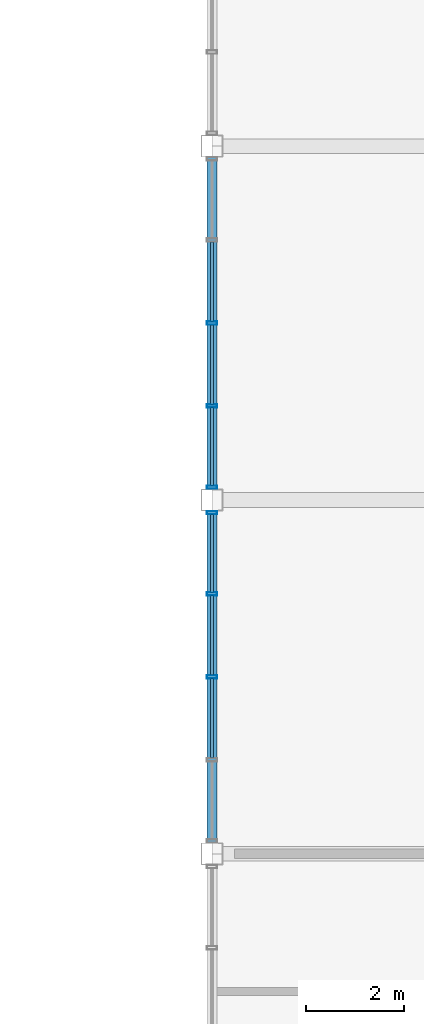
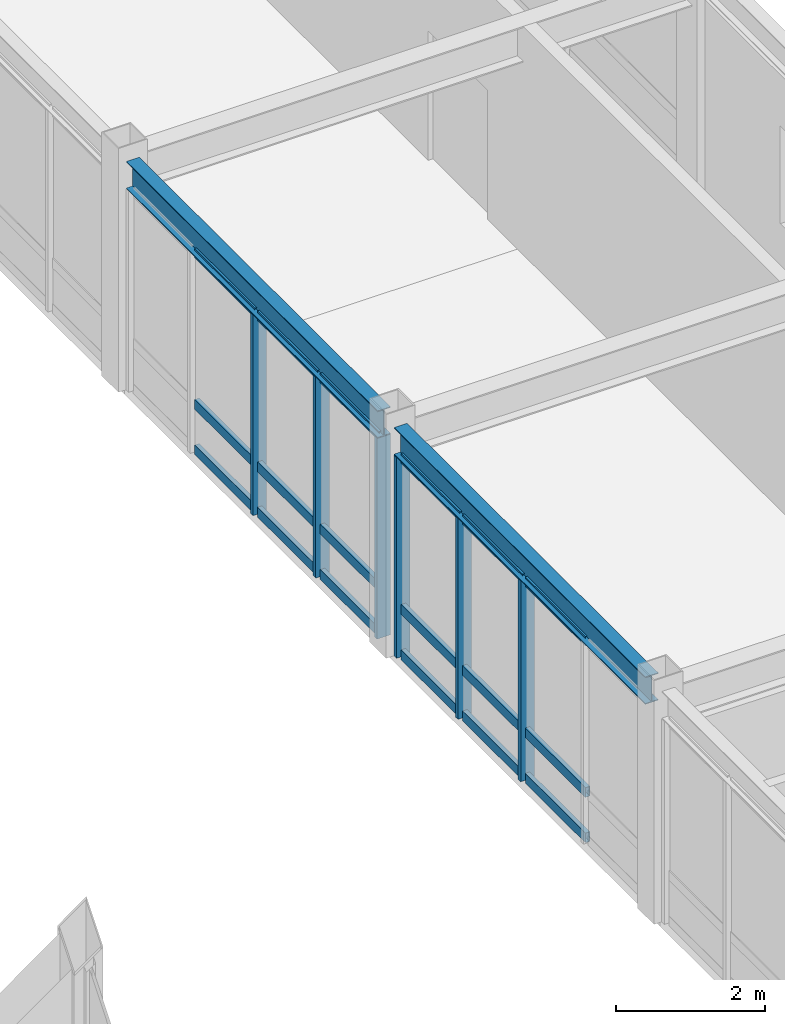
# One storey, part 32 of 113: 24 members, 2 beams, 2 elements without a shape of their own.
"""IFC4 building model written with IfcOpenShell, lengths in metres."""

from ifc_helpers import new_model, si_unit, direction, frame, origin, origin_2d, place, context, subcontext, project, spatial, hollow_rectangle, i_section, extrude, material, material_profile, profile_set, type_object, element, aggregate, save


model = new_model("IFC4")

# Units and contexts
model_context = context("Model", 3, precision=1e-05, world=origin(), true_north=direction((0.0, 1.0)))
body_context = subcontext(model_context, "Body", "Model", "MODEL_VIEW")
ifc_project = project(units=[si_unit("LENGTHUNIT", "METRE"), si_unit("AREAUNIT", "SQUARE_METRE"), si_unit("VOLUMEUNIT", "CUBIC_METRE"), si_unit("PLANEANGLEUNIT", "RADIAN"), si_unit("MASSUNIT", "GRAM", prefix="KILO")], contexts=[model_context])

# Site, building, storey
site_placement = place(None, origin())
site = spatial("IfcSite", under=ifc_project, at=site_placement, CompositionType="ELEMENT")
building_placement = place(site_placement, origin())
building = spatial("IfcBuilding", under=site, at=building_placement, Name="Kazanami Central Library", CompositionType="ELEMENT")
storey_placement = place(building_placement, frame((0.0, 0.0, 8.800048828125)))
storey = spatial("IfcBuildingStorey", under=building, at=storey_placement, Name="L03", CompositionType="ELEMENT", Elevation=8.800048828125)

# Beams
ifc_material_1 = material(Name="Steel SN490B (325 MPa)", Category="steel")
ifc_material_profile_1 = material_profile(ifc_material_1, i_section(OverallWidth=0.199951171875, OverallDepth=0.449951171875, WebThickness=0.009033203125, FlangeThickness=0.013916015625, at=origin_2d()), Name="H-450x200x9x14")
ifc_profile_set_1 = profile_set([ifc_material_profile_1], Name="Steel SN490B (325 MPa)")
beam_type = type_object("IfcBeamType", Name="BM-SP-2", PredefinedType="SPANDREL", material=ifc_profile_set_1)
beam_1_placement = place(storey_placement, frame((45.0, 36.222900390625, 3.52001953125), z_axis=(0.0, 1.0, 0.0), x_axis=(-1.0, 0.0, 0.0)))
element("IfcBeam", 1, at=beam_1_placement, inside=storey, type_object=beam_type, Name="Girder SP-2 L03 6/F-G", PredefinedType="SPANDREL", context=body_context, shape_type="SweptSolid", body=[
    extrude(i_section(OverallWidth=0.199951171875, OverallDepth=0.449951171875, WebThickness=0.009033203125, FlangeThickness=0.013916015625, at=origin_2d()), origin(), (0.0, 0.0, 1.0), 6.754150390625),
])
beam_2_placement = place(storey_placement, frame((45.0, 43.423095703125, 3.52001953125), z_axis=(0.0, 1.0, 0.0), x_axis=(-1.0, 0.0, 0.0)))
element("IfcBeam", 2, at=beam_2_placement, inside=storey, type_object=beam_type, Name="Girder SP-2 L03 6/G-H", PredefinedType="SPANDREL", context=body_context, shape_type="SweptSolid", body=[
    extrude(i_section(OverallWidth=0.199951171875, OverallDepth=0.449951171875, WebThickness=0.009033203125, FlangeThickness=0.013916015625, at=origin_2d()), origin(), (0.0, 0.0, 1.0), 6.75390625),
])

# Curtain wall, members
ifc_material_2 = material(Name="Acid-Etched Low-E Laminated Glass", Category="glass")
curtain_wall_type = type_object("IfcCurtainWallType", Name="CW-6750x3295-M180", PredefinedType="USERDEFINED", material=ifc_material_2)
curtain_wall_1_placement = place(storey_placement, origin())
curtain_wall_1 = element("IfcCurtainWall", 3, at=curtain_wall_1_placement, inside=storey, type_object=curtain_wall_type, Name="Covered Link Bridge Curtain Wall CW-32 L03 W-6-05", ObjectType="UNITISED CURTAIN WALL", PredefinedType="USERDEFINED")
ifc_material_3 = material(Name="Anodised Aluminium A6063-T5", Category="aluminium")
ifc_material_profile_2 = material_profile(ifc_material_3, hollow_rectangle(XDim=0.070068359375, YDim=0.2099609375, WallThickness=0.0048828125, at=origin_2d()), Name="ALU-MULL-70x210x5")
ifc_profile_set_2 = profile_set([ifc_material_profile_2], Name="Anodised Aluminium A6063-T5")
member_type_1 = type_object("IfcMemberType", Name="MEM-CW-M1", PredefinedType="MULLION", material=ifc_profile_set_2)
member_1_placement = place(storey_placement, frame((45.0, 39.60009765625, 0.0), z_axis=(0.0, 0.0, 1.0), x_axis=(0.0, 1.0, 0.0)))
member_1 = element("IfcMember", 4, at=member_1_placement, type_object=member_type_1, Name="CW-32 mullion 3", PredefinedType="MULLION", context=body_context, shape_type="SweptSolid", body=[
    extrude(hollow_rectangle(XDim=0.070068359375, YDim=0.2099609375, WallThickness=0.0048828125, at=origin_2d()), origin(), (0.0, 0.0, 1.0), 3.294921875),
])
member_2_placement = place(storey_placement, frame((45.0, 41.28759765625, 0.0), z_axis=(0.0, 0.0, 1.0), x_axis=(0.0, 1.0, 0.0)))
member_2 = element("IfcMember", 5, at=member_2_placement, type_object=member_type_1, Name="CW-32 mullion 4", PredefinedType="MULLION", context=body_context, shape_type="SweptSolid", body=[
    extrude(hollow_rectangle(XDim=0.070068359375, YDim=0.2099609375, WallThickness=0.0048828125, at=origin_2d()), origin(), (0.0, 0.0, 1.0), 3.294921875),
])
member_3_placement = place(storey_placement, frame((45.0, 42.93994140625, 0.0), z_axis=(0.0, 0.0, 1.0), x_axis=(0.0, 1.0, 0.0)))
member_3 = element("IfcMember", 6, at=member_3_placement, type_object=member_type_1, Name="CW-32 mullion 5", PredefinedType="MULLION", context=body_context, shape_type="SweptSolid", body=[
    extrude(hollow_rectangle(XDim=0.070068359375, YDim=0.2099609375, WallThickness=0.0048828125, at=origin_2d()), origin(), (0.0, 0.0, 1.0), 3.294921875),
])

curtain_wall_2_placement = place(storey_placement, origin())
curtain_wall_2 = element("IfcCurtainWall", 7, at=curtain_wall_2_placement, inside=storey, type_object=curtain_wall_type, Name="Covered Link Bridge Curtain Wall CW-32 L03 W-6-06", ObjectType="UNITISED CURTAIN WALL", PredefinedType="USERDEFINED")
member_4_placement = place(storey_placement, frame((45.0, 43.4599609375, 0.0), z_axis=(0.0, 0.0, 1.0), x_axis=(0.0, 1.0, 0.0)))
member_4 = element("IfcMember", 8, at=member_4_placement, type_object=member_type_1, Name="CW-32 mullion 1", PredefinedType="MULLION", context=body_context, shape_type="SweptSolid", body=[
    extrude(hollow_rectangle(XDim=0.070068359375, YDim=0.2099609375, WallThickness=0.0048828125, at=origin_2d()), origin(), (0.0, 0.0, 1.0), 3.294921875),
])
member_5_placement = place(storey_placement, frame((45.0, 45.112548828125, 0.0), z_axis=(0.0, 0.0, 1.0), x_axis=(0.0, 1.0, 0.0)))
member_5 = element("IfcMember", 9, at=member_5_placement, type_object=member_type_1, Name="CW-32 mullion 2", PredefinedType="MULLION", context=body_context, shape_type="SweptSolid", body=[
    extrude(hollow_rectangle(XDim=0.070068359375, YDim=0.2099609375, WallThickness=0.0048828125, at=origin_2d()), origin(), (0.0, 0.0, 1.0), 3.294921875),
])
member_6_placement = place(storey_placement, frame((45.0, 46.800048828125, 0.0), z_axis=(0.0, 0.0, 1.0), x_axis=(0.0, 1.0, 0.0)))
member_6 = element("IfcMember", 10, at=member_6_placement, type_object=member_type_1, Name="CW-32 mullion 3", PredefinedType="MULLION", context=body_context, shape_type="SweptSolid", body=[
    extrude(hollow_rectangle(XDim=0.070068359375, YDim=0.2099609375, WallThickness=0.0048828125, at=origin_2d()), origin(), (0.0, 0.0, 1.0), 3.294921875),
])

# Member
ifc_material_profile_3 = material_profile(ifc_material_3, hollow_rectangle(XDim=0.070068359375, YDim=0.159912109375, WallThickness=0.00390625, at=origin_2d()), Name="ALU-TRAN-70x160x4")
ifc_profile_set_3 = profile_set([ifc_material_profile_3], Name="Anodised Aluminium A6063-T5")
member_type_2 = type_object("IfcMemberType", Name="MEM-CW-T1", PredefinedType="USERDEFINED", material=ifc_profile_set_3)
member_7_placement = place(storey_placement, frame((45.0, 37.947509765625, 0.034912109375), z_axis=(0.0, 1.0, 0.0), x_axis=(-1.0, 0.0, 0.0)))
member_7 = element("IfcMember", 11, at=member_7_placement, type_object=member_type_2, Name="CW-32 transom 2.1", ObjectType="TRANSOM", PredefinedType="USERDEFINED", context=body_context, shape_type="SweptSolid", body=[
    extrude(hollow_rectangle(XDim=0.070068359375, YDim=0.159912109375, WallThickness=0.00390625, at=origin_2d()), origin(), (0.0, 0.0, 1.0), 1.617431640625),
])

member_8_placement = place(storey_placement, frame((45.0, 37.947509765625, 0.780029296875), z_axis=(0.0, 1.0, 0.0), x_axis=(-1.0, 0.0, 0.0)))
member_8 = element("IfcMember", 12, at=member_8_placement, type_object=member_type_2, Name="CW-32 transom 2.2", ObjectType="TRANSOM", PredefinedType="USERDEFINED", context=body_context, shape_type="SweptSolid", body=[
    extrude(hollow_rectangle(XDim=0.070068359375, YDim=0.159912109375, WallThickness=0.00390625, at=origin_2d()), origin(), (0.0, 0.0, 1.0), 1.617431640625),
])

member_9_placement = place(storey_placement, frame((45.0, 37.947509765625, 3.260009765625), z_axis=(0.0, 1.0, 0.0), x_axis=(-1.0, 0.0, 0.0)))
member_9 = element("IfcMember", 13, at=member_9_placement, type_object=member_type_2, Name="CW-32 transom 2.3", ObjectType="TRANSOM", PredefinedType="USERDEFINED", context=body_context, shape_type="SweptSolid", body=[
    extrude(hollow_rectangle(XDim=0.070068359375, YDim=0.159912109375, WallThickness=0.00390625, at=origin_2d()), origin(), (0.0, 0.0, 1.0), 1.617431640625),
])

member_10_placement = place(storey_placement, frame((45.0, 39.635009765625, 0.034912109375), z_axis=(0.0, 1.0, 0.0), x_axis=(-1.0, 0.0, 0.0)))
member_10 = element("IfcMember", 14, at=member_10_placement, type_object=member_type_2, Name="CW-32 transom 3.1", ObjectType="TRANSOM", PredefinedType="USERDEFINED", context=body_context, shape_type="SweptSolid", body=[
    extrude(hollow_rectangle(XDim=0.070068359375, YDim=0.159912109375, WallThickness=0.00390625, at=origin_2d()), origin(), (0.0, 0.0, 1.0), 1.617431640625),
])

member_11_placement = place(storey_placement, frame((45.0, 39.635009765625, 0.780029296875), z_axis=(0.0, 1.0, 0.0), x_axis=(-1.0, 0.0, 0.0)))
member_11 = element("IfcMember", 15, at=member_11_placement, type_object=member_type_2, Name="CW-32 transom 3.2", ObjectType="TRANSOM", PredefinedType="USERDEFINED", context=body_context, shape_type="SweptSolid", body=[
    extrude(hollow_rectangle(XDim=0.070068359375, YDim=0.159912109375, WallThickness=0.00390625, at=origin_2d()), origin(), (0.0, 0.0, 1.0), 1.617431640625),
])

member_12_placement = place(storey_placement, frame((45.0, 39.635009765625, 3.260009765625), z_axis=(0.0, 1.0, 0.0), x_axis=(-1.0, 0.0, 0.0)))
member_12 = element("IfcMember", 16, at=member_12_placement, type_object=member_type_2, Name="CW-32 transom 3.3", ObjectType="TRANSOM", PredefinedType="USERDEFINED", context=body_context, shape_type="SweptSolid", body=[
    extrude(hollow_rectangle(XDim=0.070068359375, YDim=0.159912109375, WallThickness=0.00390625, at=origin_2d()), origin(), (0.0, 0.0, 1.0), 1.617431640625),
])

member_13_placement = place(storey_placement, frame((45.0, 41.322509765625, 0.034912109375), z_axis=(0.0, 1.0, 0.0), x_axis=(-1.0, 0.0, 0.0)))
member_13 = element("IfcMember", 17, at=member_13_placement, type_object=member_type_2, Name="CW-32 transom 4.1", ObjectType="TRANSOM", PredefinedType="USERDEFINED", context=body_context, shape_type="SweptSolid", body=[
    extrude(hollow_rectangle(XDim=0.070068359375, YDim=0.159912109375, WallThickness=0.00390625, at=origin_2d()), origin(), (0.0, 0.0, 1.0), 1.58251953125),
])

member_14_placement = place(storey_placement, frame((45.0, 41.322509765625, 0.780029296875), z_axis=(0.0, 1.0, 0.0), x_axis=(-1.0, 0.0, 0.0)))
member_14 = element("IfcMember", 18, at=member_14_placement, type_object=member_type_2, Name="CW-32 transom 4.2", ObjectType="TRANSOM", PredefinedType="USERDEFINED", context=body_context, shape_type="SweptSolid", body=[
    extrude(hollow_rectangle(XDim=0.070068359375, YDim=0.159912109375, WallThickness=0.00390625, at=origin_2d()), origin(), (0.0, 0.0, 1.0), 1.58251953125),
])

member_15_placement = place(storey_placement, frame((45.0, 41.322509765625, 3.260009765625), z_axis=(0.0, 1.0, 0.0), x_axis=(-1.0, 0.0, 0.0)))
member_15 = element("IfcMember", 19, at=member_15_placement, type_object=member_type_2, Name="CW-32 transom 4.3", ObjectType="TRANSOM", PredefinedType="USERDEFINED", context=body_context, shape_type="SweptSolid", body=[
    extrude(hollow_rectangle(XDim=0.070068359375, YDim=0.159912109375, WallThickness=0.00390625, at=origin_2d()), origin(), (0.0, 0.0, 1.0), 1.58251953125),
])

aggregate(curtain_wall_1, [member_1, member_2, member_3, member_7, member_8, member_9, member_10, member_11, member_12, member_13, member_14, member_15])

member_16_placement = place(storey_placement, frame((45.0, 43.4951171875, 0.034912109375), z_axis=(0.0, 1.0, 0.0), x_axis=(-1.0, 0.0, 0.0)))
member_16 = element("IfcMember", 20, at=member_16_placement, type_object=member_type_2, Name="CW-32 transom 1.1", ObjectType="TRANSOM", PredefinedType="USERDEFINED", context=body_context, shape_type="SweptSolid", body=[
    extrude(hollow_rectangle(XDim=0.070068359375, YDim=0.159912109375, WallThickness=0.00390625, at=origin_2d()), origin(), (0.0, 0.0, 1.0), 1.582275390625),
])

member_17_placement = place(storey_placement, frame((45.0, 43.4951171875, 0.780029296875), z_axis=(0.0, 1.0, 0.0), x_axis=(-1.0, 0.0, 0.0)))
member_17 = element("IfcMember", 21, at=member_17_placement, type_object=member_type_2, Name="CW-32 transom 1.2", ObjectType="TRANSOM", PredefinedType="USERDEFINED", context=body_context, shape_type="SweptSolid", body=[
    extrude(hollow_rectangle(XDim=0.070068359375, YDim=0.159912109375, WallThickness=0.00390625, at=origin_2d()), origin(), (0.0, 0.0, 1.0), 1.582275390625),
])

member_18_placement = place(storey_placement, frame((45.0, 43.4951171875, 3.260009765625), z_axis=(0.0, 1.0, 0.0), x_axis=(-1.0, 0.0, 0.0)))
member_18 = element("IfcMember", 22, at=member_18_placement, type_object=member_type_2, Name="CW-32 transom 1.3", ObjectType="TRANSOM", PredefinedType="USERDEFINED", context=body_context, shape_type="SweptSolid", body=[
    extrude(hollow_rectangle(XDim=0.070068359375, YDim=0.159912109375, WallThickness=0.00390625, at=origin_2d()), origin(), (0.0, 0.0, 1.0), 1.582275390625),
])

member_19_placement = place(storey_placement, frame((45.0, 45.1474609375, 0.034912109375), z_axis=(0.0, 1.0, 0.0), x_axis=(-1.0, 0.0, 0.0)))
member_19 = element("IfcMember", 23, at=member_19_placement, type_object=member_type_2, Name="CW-32 transom 2.1", ObjectType="TRANSOM", PredefinedType="USERDEFINED", context=body_context, shape_type="SweptSolid", body=[
    extrude(hollow_rectangle(XDim=0.070068359375, YDim=0.159912109375, WallThickness=0.00390625, at=origin_2d()), origin(), (0.0, 0.0, 1.0), 1.617431640625),
])

member_20_placement = place(storey_placement, frame((45.0, 45.1474609375, 0.780029296875), z_axis=(0.0, 1.0, 0.0), x_axis=(-1.0, 0.0, 0.0)))
member_20 = element("IfcMember", 24, at=member_20_placement, type_object=member_type_2, Name="CW-32 transom 2.2", ObjectType="TRANSOM", PredefinedType="USERDEFINED", context=body_context, shape_type="SweptSolid", body=[
    extrude(hollow_rectangle(XDim=0.070068359375, YDim=0.159912109375, WallThickness=0.00390625, at=origin_2d()), origin(), (0.0, 0.0, 1.0), 1.617431640625),
])

member_21_placement = place(storey_placement, frame((45.0, 45.1474609375, 3.260009765625), z_axis=(0.0, 1.0, 0.0), x_axis=(-1.0, 0.0, 0.0)))
member_21 = element("IfcMember", 25, at=member_21_placement, type_object=member_type_2, Name="CW-32 transom 2.3", ObjectType="TRANSOM", PredefinedType="USERDEFINED", context=body_context, shape_type="SweptSolid", body=[
    extrude(hollow_rectangle(XDim=0.070068359375, YDim=0.159912109375, WallThickness=0.00390625, at=origin_2d()), origin(), (0.0, 0.0, 1.0), 1.617431640625),
])

member_22_placement = place(storey_placement, frame((45.0, 46.8349609375, 0.034912109375), z_axis=(0.0, 1.0, 0.0), x_axis=(-1.0, 0.0, 0.0)))
member_22 = element("IfcMember", 26, at=member_22_placement, type_object=member_type_2, Name="CW-32 transom 3.1", ObjectType="TRANSOM", PredefinedType="USERDEFINED", context=body_context, shape_type="SweptSolid", body=[
    extrude(hollow_rectangle(XDim=0.070068359375, YDim=0.159912109375, WallThickness=0.00390625, at=origin_2d()), origin(), (0.0, 0.0, 1.0), 1.617431640625),
])

member_23_placement = place(storey_placement, frame((45.0, 46.8349609375, 0.780029296875), z_axis=(0.0, 1.0, 0.0), x_axis=(-1.0, 0.0, 0.0)))
member_23 = element("IfcMember", 27, at=member_23_placement, type_object=member_type_2, Name="CW-32 transom 3.2", ObjectType="TRANSOM", PredefinedType="USERDEFINED", context=body_context, shape_type="SweptSolid", body=[
    extrude(hollow_rectangle(XDim=0.070068359375, YDim=0.159912109375, WallThickness=0.00390625, at=origin_2d()), origin(), (0.0, 0.0, 1.0), 1.617431640625),
])

member_24_placement = place(storey_placement, frame((45.0, 46.8349609375, 3.260009765625), z_axis=(0.0, 1.0, 0.0), x_axis=(-1.0, 0.0, 0.0)))
member_24 = element("IfcMember", 28, at=member_24_placement, type_object=member_type_2, Name="CW-32 transom 3.3", ObjectType="TRANSOM", PredefinedType="USERDEFINED", context=body_context, shape_type="SweptSolid", body=[
    extrude(hollow_rectangle(XDim=0.070068359375, YDim=0.159912109375, WallThickness=0.00390625, at=origin_2d()), origin(), (0.0, 0.0, 1.0), 1.617431640625),
])

aggregate(curtain_wall_2, [member_4, member_5, member_6, member_16, member_17, member_18, member_19, member_20, member_21, member_22, member_23, member_24])

save(model, "model.ifc")
